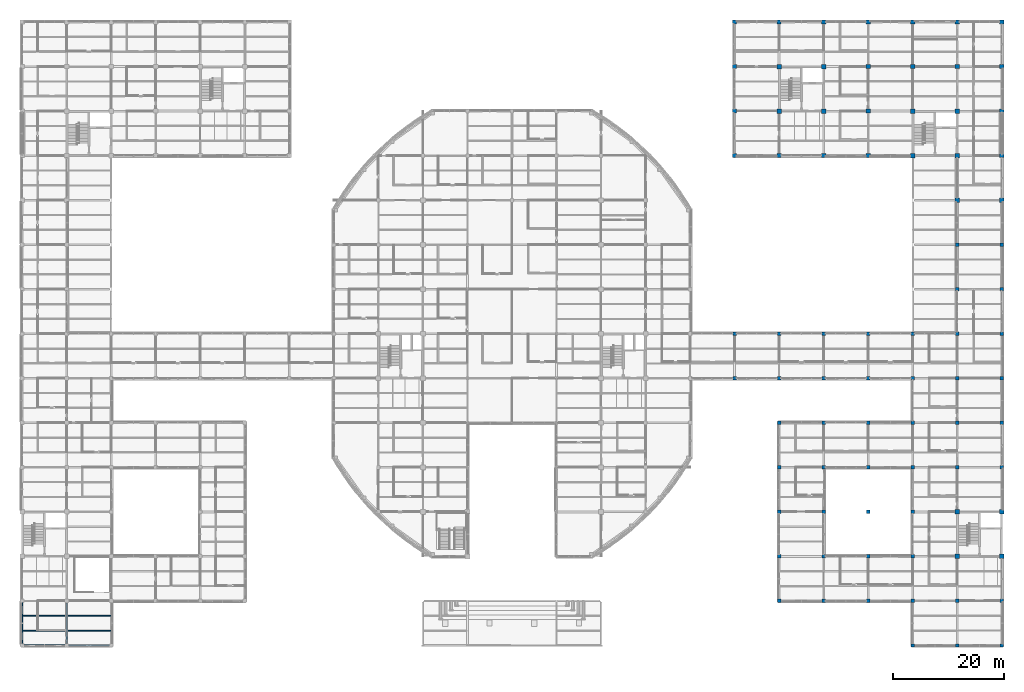
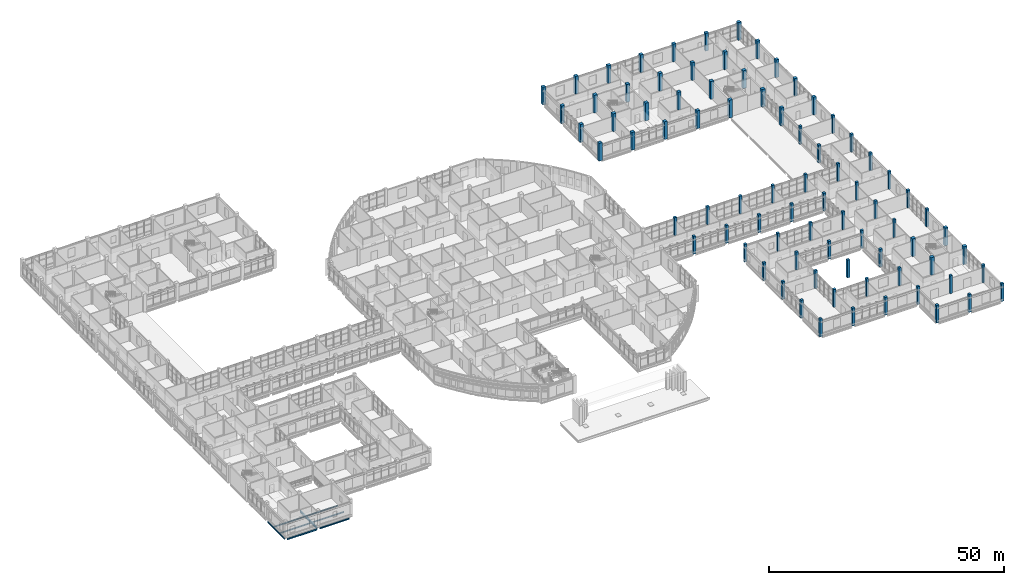
# One storey, part 8 of 121: 81 columns, 8 beams.
"""IFC4 building model written with IfcOpenShell, lengths in metres."""

from ifc_helpers import new_model, si_unit, derived_unit, direction, frame, origin, origin_2d, place, context, subcontext, project, spatial, rectangle, i_section, extrude, material, material_profile, profile_set, type_object, element, save


model = new_model("IFC4")

# Units and contexts
model_context = context("Model", 3, precision=1e-05, world=origin(), true_north=direction((0.0, 1.0)))
body_context = subcontext(model_context, "Body", "Model", "MODEL_VIEW")
ifc_project = project(units=[si_unit("LENGTHUNIT", "METRE"), si_unit("AREAUNIT", "SQUARE_METRE"), si_unit("VOLUMEUNIT", "CUBIC_METRE"), si_unit("PLANEANGLEUNIT", "RADIAN"), si_unit("MASSUNIT", "GRAM", prefix="KILO"), derived_unit("THERMALTRANSMITTANCEUNIT", [(si_unit("MASSUNIT", "GRAM", prefix="KILO"), 1), (si_unit("TIMEUNIT", "SECOND"), -3), (si_unit("THERMODYNAMICTEMPERATUREUNIT", "KELVIN"), -1)])], contexts=[model_context])

# Site, building, storey
site_placement = place(None, origin())
site = spatial("IfcSite", under=ifc_project, at=site_placement, CompositionType="ELEMENT")
building_placement = place(site_placement, origin())
building = spatial("IfcBuilding", under=site, at=building_placement, Name="Veyamyaing Civic Hall", CompositionType="ELEMENT")
storey_placement = place(building_placement, frame((0.0, 0.0, 5.280029296875)))
storey = spatial("IfcBuildingStorey", under=building, at=storey_placement, Name="L01", CompositionType="ELEMENT", Elevation=5.280029296875)

# Columns
ifc_material_1 = material(Name="Concrete C45/55", Category="concrete")
ifc_material_profile_1 = material_profile(ifc_material_1, rectangle(XDim=0.800048828125, YDim=0.800048828125, at=origin_2d()), Name="RC-COL-800X800")
ifc_profile_set_1 = profile_set([ifc_material_profile_1], Name="Concrete C45/55")
column_type_1 = type_object("IfcColumnType", Name="C-02", PredefinedType="COLUMN", material=ifc_profile_set_1)
for number, where, z_axis, x_axis, name in (
    (1, (136.0, 96.0, 0.0), (0.0, 0.0, 1.0), (1.0, 0.0, 0.0), "Column C-02 18-N L01"),
    (2, (136.0, 104.0, 0.0), (0.0, 0.0, 1.0), (1.0, 0.0, 0.0), "Column C-02 18-P L01"),
    (3, (144.0, 96.0, 0.0), (0.0, 0.0, 1.0), (1.0, 0.0, 0.0), "Column C-02 19-N L01"),
    (4, (144.0, 104.0, 0.0), (0.0, 0.0, 1.0), (1.0, 0.0, 0.0), "Column C-02 19-P L01"),
    (5, (160.0, 88.0, 0.0), (0.0, 0.0, 1.0), (1.0, 0.0, 0.0), "Column C-02 21-M L01"),
    (6, (160.0, 96.0, 0.0), (0.0, 0.0, 1.0), (1.0, 0.0, 0.0), "Column C-02 21-N L01"),
    (7, (168.0, 16.0, 0.0), (0.0, 0.0, 1.0), (1.0, 0.0, 0.0), "Column C-02 22-C L01"),
    (8, (168.0, 24.0, 0.0), (0.0, 0.0, 1.0), (1.0, 0.0, 0.0), "Column C-02 22-D L01"),
    (9, (168.0, 88.0, 0.0), (0.0, 0.0, 1.0), (1.0, 0.0, 0.0), "Column C-02 22-M L01"),
    (10, (168.0, 96.0, 0.0), (0.0, 0.0, 1.0), (1.0, 0.0, 0.0), "Column C-02 22-N L01"),
    (11, (176.0, 16.0, 0.0), (0.0, 0.0, 1.0), (1.0, 0.0, 0.0), "Column C-02 23-C L01"),
    (12, (176.0, 24.0, 0.0), (0.0, 0.0, 1.0), (1.0, 0.0, 0.0), "Column C-02 23-D L01"),
):
    element("IfcColumn", number, at=place(storey_placement, frame(where, z_axis=z_axis, x_axis=x_axis)), inside=storey, type_object=column_type_1, Name=name, PredefinedType="COLUMN", context=body_context, shape_type="SweptSolid", body=[
        extrude(rectangle(XDim=0.800048828125, YDim=0.800048828125, at=origin_2d()), origin(), (0.0, 0.0, 1.0), 4.619873046875),
    ])
ifc_material_profile_2 = material_profile(ifc_material_1, rectangle(XDim=0.75, YDim=0.75, at=origin_2d()), Name="RC-COL-750X750")
ifc_profile_set_2 = profile_set([ifc_material_profile_2], Name="Concrete C45/55")
column_type_2 = type_object("IfcColumnType", Name="C-03", PredefinedType="COLUMN", material=ifc_profile_set_2)
for number, where, z_axis, x_axis, name in (
    (13, (128.0, 88.0, 0.0), (0.0, 0.0, 1.0), (1.0, 0.0, 0.0), "Column C-03 17-M L01"),
    (14, (128.0, 96.0, 0.0), (0.0, 0.0, 1.0), (1.0, 0.0, 0.0), "Column C-03 17-N L01"),
    (15, (128.0, 104.0, 0.0), (0.0, 0.0, 1.0), (1.0, 0.0, 0.0), "Column C-03 17-P L01"),
    (16, (128.0, 112.0, 0.0), (0.0, 0.0, 1.0), (1.0, 0.0, 0.0), "Column C-03 17-Q L01"),
    (17, (136.0, 88.0, 0.0), (0.0, 0.0, 1.0), (1.0, 0.0, 0.0), "Column C-03 18-M L01"),
    (18, (136.0, 112.0, 0.0), (0.0, 0.0, 1.0), (1.0, 0.0, 0.0), "Column C-03 18-Q L01"),
    (19, (144.0, 88.0, 0.0), (0.0, 0.0, 1.0), (1.0, 0.0, 0.0), "Column C-03 19-M L01"),
    (20, (144.0, 112.0, 0.0), (0.0, 0.0, 1.0), (1.0, 0.0, 0.0), "Column C-03 19-Q L01"),
    (21, (152.0, 88.0, 0.0), (0.0, 0.0, 1.0), (1.0, 0.0, 0.0), "Column C-03 20-M L01"),
    (22, (152.0, 96.0, 0.0), (0.0, 0.0, 1.0), (1.0, 0.0, 0.0), "Column C-03 20-N L01"),
    (23, (152.0, 104.0, 0.0), (0.0, 0.0, 1.0), (1.0, 0.0, 0.0), "Column C-03 20-P L01"),
    (24, (152.0, 112.0, 0.0), (0.0, 0.0, 1.0), (1.0, 0.0, 0.0), "Column C-03 20-Q L01"),
    (25, (160.0, 104.0, 0.0), (0.0, 0.0, 1.0), (1.0, 0.0, 0.0), "Column C-03 21-P L01"),
    (26, (160.0, 112.0, 0.0), (0.0, 0.0, 1.0), (1.0, 0.0, 0.0), "Column C-03 21-Q L01"),
    (27, (168.0, 80.0, 0.0), (0.0, 0.0, 1.0), (1.0, 0.0, 0.0), "Column C-03 22-L L01"),
    (28, (168.0, 104.0, 0.0), (0.0, 0.0, 1.0), (1.0, 0.0, 0.0), "Column C-03 22-P L01"),
    (29, (168.0, 112.0, 0.0), (0.0, 0.0, 1.0), (1.0, 0.0, 0.0), "Column C-03 22-Q L01"),
    (30, (176.0, 80.0, 0.0), (0.0, 0.0, 1.0), (1.0, 0.0, 0.0), "Column C-03 23-L L01"),
    (31, (176.0, 88.0, 0.0), (0.0, 0.0, 1.0), (1.0, 0.0, 0.0), "Column C-03 23-M L01"),
    (32, (176.0, 96.0, 0.0), (0.0, 0.0, 1.0), (1.0, 0.0, 0.0), "Column C-03 23-N L01"),
    (33, (176.0, 104.0, 0.0), (0.0, 0.0, 1.0), (1.0, 0.0, 0.0), "Column C-03 23-P L01"),
    (34, (176.0, 112.0, 0.0), (0.0, 0.0, 1.0), (1.0, 0.0, 0.0), "Column C-03 23-Q L01"),
):
    element("IfcColumn", number, at=place(storey_placement, frame(where, z_axis=z_axis, x_axis=x_axis)), inside=storey, type_object=column_type_2, Name=name, PredefinedType="COLUMN", context=body_context, shape_type="SweptSolid", body=[
        extrude(rectangle(XDim=0.75, YDim=0.75, at=origin_2d()), origin(), (0.0, 0.0, 1.0), 4.619873046875),
    ])
ifc_material_profile_3 = material_profile(ifc_material_1, rectangle(XDim=0.60009765625, YDim=0.60009765625, at=origin_2d()), Name="RC-COL-600X600")
ifc_profile_set_3 = profile_set([ifc_material_profile_3], Name="Concrete C45/55")
column_type_3 = type_object("IfcColumnType", Name="C-06", PredefinedType="COLUMN", material=ifc_profile_set_3)
for number, where, z_axis, x_axis, name in (
    (35, (128.0, 48.0, 0.0), (0.0, 0.0, 1.0), (1.0, 0.0, 0.0), "Column C-06 17-G L01"),
    (36, (128.0, 56.0, 0.0), (0.0, 0.0, 1.0), (1.0, 0.0, 0.0), "Column C-06 17-H L01"),
    (37, (136.0, 8.0, 0.0), (0.0, 0.0, 1.0), (1.0, 0.0, 0.0), "Column C-06 18-B L01"),
    (38, (136.0, 16.0, 0.0), (0.0, 0.0, 1.0), (1.0, 0.0, 0.0), "Column C-06 18-C L01"),
    (39, (136.0, 24.0, 0.0), (0.0, 0.0, 1.0), (1.0, 0.0, 0.0), "Column C-06 18-D L01"),
    (40, (136.0, 32.0, 0.0), (0.0, 0.0, 1.0), (1.0, 0.0, 0.0), "Column C-06 18-E L01"),
    (41, (136.0, 40.0, 0.0), (0.0, 0.0, 1.0), (1.0, 0.0, 0.0), "Column C-06 18-F L01"),
    (42, (136.0, 48.0, 0.0), (0.0, 0.0, 1.0), (1.0, 0.0, 0.0), "Column C-06 18-G L01"),
    (43, (136.0, 56.0, 0.0), (0.0, 0.0, 1.0), (1.0, 0.0, 0.0), "Column C-06 18-H L01"),
    (44, (144.0, 8.0, 0.0), (0.0, 0.0, 1.0), (1.0, 0.0, 0.0), "Column C-06 19-B L01"),
    (45, (144.0, 16.0, 0.0), (0.0, 0.0, 1.0), (1.0, 0.0, 0.0), "Column C-06 19-C L01"),
    (46, (144.0, 24.0, 0.0), (0.0, 0.0, 1.0), (1.0, 0.0, 0.0), "Column C-06 19-D L01"),
    (47, (144.0, 32.0, 0.0), (0.0, 0.0, 1.0), (1.0, 0.0, 0.0), "Column C-06 19-E L01"),
    (48, (144.0, 40.0, 0.0), (0.0, 0.0, 1.0), (1.0, 0.0, 0.0), "Column C-06 19-F L01"),
    (49, (144.0, 48.0, 0.0), (0.0, 0.0, 1.0), (1.0, 0.0, 0.0), "Column C-06 19-G L01"),
    (50, (144.0, 56.0, 0.0), (0.0, 0.0, 1.0), (1.0, 0.0, 0.0), "Column C-06 19-H L01"),
    (51, (152.0, 8.0, 0.0), (0.0, 0.0, 1.0), (1.0, 0.0, 0.0), "Column C-06 20-B L01"),
    (52, (152.0, 16.0, 0.0), (0.0, 0.0, 1.0), (1.0, 0.0, 0.0), "Column C-06 20-C L01"),
    (53, (152.0, 24.0, 0.0), (0.0, 0.0, 1.0), (1.0, 0.0, 0.0), "Column C-06 20-D L01"),
    (54, (152.0, 32.0, 0.0), (0.0, 0.0, 1.0), (1.0, 0.0, 0.0), "Column C-06 20-E L01"),
    (55, (152.0, 40.0, 0.0), (0.0, 0.0, 1.0), (1.0, 0.0, 0.0), "Column C-06 20-F L01"),
    (56, (152.0, 48.0, 0.0), (0.0, 0.0, 1.0), (1.0, 0.0, 0.0), "Column C-06 20-G L01"),
    (57, (152.0, 56.0, 0.0), (0.0, 0.0, 1.0), (1.0, 0.0, 0.0), "Column C-06 20-H L01"),
    (58, (160.0, 0.0, 0.0), (0.0, 0.0, 1.0), (1.0, 0.0, 0.0), "Column C-06 21-A L01"),
    (59, (160.0, 8.0, 0.0), (0.0, 0.0, 1.0), (1.0, 0.0, 0.0), "Column C-06 21-B L01"),
    (60, (160.0, 16.0, 0.0), (0.0, 0.0, 1.0), (1.0, 0.0, 0.0), "Column C-06 21-C L01"),
    (61, (160.0, 24.0, 0.0), (0.0, 0.0, 1.0), (1.0, 0.0, 0.0), "Column C-06 21-D L01"),
    (62, (160.0, 32.0, 0.0), (0.0, 0.0, 1.0), (1.0, 0.0, 0.0), "Column C-06 21-E L01"),
    (63, (160.0, 40.0, 0.0), (0.0, 0.0, 1.0), (1.0, 0.0, 0.0), "Column C-06 21-F L01"),
    (64, (160.0, 48.0, 0.0), (0.0, 0.0, 1.0), (1.0, 0.0, 0.0), "Column C-06 21-G L01"),
    (65, (160.0, 56.0, 0.0), (0.0, 0.0, 1.0), (1.0, 0.0, 0.0), "Column C-06 21-H L01"),
    (66, (168.0, 0.0, 0.0), (0.0, 0.0, 1.0), (1.0, 0.0, 0.0), "Column C-06 22-A L01"),
    (67, (168.0, 8.0, 0.0), (0.0, 0.0, 1.0), (1.0, 0.0, 0.0), "Column C-06 22-B L01"),
    (68, (168.0, 32.0, 0.0), (0.0, 0.0, 1.0), (1.0, 0.0, 0.0), "Column C-06 22-E L01"),
    (69, (168.0, 40.0, 0.0), (0.0, 0.0, 1.0), (1.0, 0.0, 0.0), "Column C-06 22-F L01"),
    (70, (168.0, 48.0, 0.0), (0.0, 0.0, 1.0), (1.0, 0.0, 0.0), "Column C-06 22-G L01"),
    (71, (168.0, 56.0, 0.0), (0.0, 0.0, 1.0), (1.0, 0.0, 0.0), "Column C-06 22-H L01"),
    (72, (168.0, 64.0, 0.0), (0.0, 0.0, 1.0), (1.0, 0.0, 0.0), "Column C-06 22-J L01"),
    (73, (168.0, 72.0, 0.0), (0.0, 0.0, 1.0), (1.0, 0.0, 0.0), "Column C-06 22-K L01"),
    (74, (176.0, 0.0, 0.0), (0.0, 0.0, 1.0), (1.0, 0.0, 0.0), "Column C-06 23-A L01"),
    (75, (176.0, 8.0, 0.0), (0.0, 0.0, 1.0), (1.0, 0.0, 0.0), "Column C-06 23-B L01"),
    (76, (176.0, 32.0, 0.0), (0.0, 0.0, 1.0), (1.0, 0.0, 0.0), "Column C-06 23-E L01"),
    (77, (176.0, 40.0, 0.0), (0.0, 0.0, 1.0), (1.0, 0.0, 0.0), "Column C-06 23-F L01"),
    (78, (176.0, 48.0, 0.0), (0.0, 0.0, 1.0), (1.0, 0.0, 0.0), "Column C-06 23-G L01"),
    (79, (176.0, 56.0, 0.0), (0.0, 0.0, 1.0), (1.0, 0.0, 0.0), "Column C-06 23-H L01"),
    (80, (176.0, 64.0, 0.0), (0.0, 0.0, 1.0), (1.0, 0.0, 0.0), "Column C-06 23-J L01"),
    (81, (176.0, 72.0, 0.0), (0.0, 0.0, 1.0), (1.0, 0.0, 0.0), "Column C-06 23-K L01"),
):
    element("IfcColumn", number, at=place(storey_placement, frame(where, z_axis=z_axis, x_axis=x_axis)), inside=storey, type_object=column_type_3, Name=name, PredefinedType="COLUMN", context=body_context, shape_type="SweptSolid", body=[
        extrude(rectangle(XDim=0.60009765625, YDim=0.60009765625, at=origin_2d()), origin(), (0.0, 0.0, 1.0), 4.619873046875),
    ])

# Beams
ifc_material_2 = material(Name="Steel ASTM A992", Category="steel")
ifc_material_profile_4 = material_profile(ifc_material_2, i_section(OverallWidth=0.22802734375, OverallDepth=0.60791015625, WebThickness=0.01123046875, FlangeThickness=0.017333984375, FilletRadius=0.012939453125, at=origin_2d()), Name="W610X113")
ifc_profile_set_4 = profile_set([ifc_material_profile_4], Name="Steel ASTM A992")
beam_type_1 = type_object("IfcBeamType", Name="B-06", PredefinedType="BEAM", material=ifc_profile_set_4)
beam_1_placement = place(storey_placement, frame((8.0, 0.35009765625, -0.549072265625), z_axis=(0.0, 1.0, 0.0), x_axis=(-1.0, 0.0, 0.0)))
element("IfcBeam", 82, at=beam_1_placement, inside=storey, type_object=beam_type_1, Name="Girder B-06 L01 Grid 2 A-B", PredefinedType="BEAM", context=body_context, shape_type="SweptSolid", body=[
    extrude(i_section(OverallWidth=0.22802734375, OverallDepth=0.60791015625, WebThickness=0.01123046875, FlangeThickness=0.017333984375, FilletRadius=0.012939453125, at=origin_2d()), origin(), (0.0, 0.0, 1.0), 7.2998046875),
])
ifc_material_profile_5 = material_profile(ifc_material_2, i_section(OverallWidth=0.180908203125, OverallDepth=0.4169921875, WebThickness=0.010986328125, FlangeThickness=0.018310546875, FilletRadius=0.010009765625, at=origin_2d()), Name="W410X85")
ifc_profile_set_5 = profile_set([ifc_material_profile_5], Name="Steel ASTM A992")
beam_type_2 = type_object("IfcBeamType", Name="B-19", PredefinedType="SPANDREL", material=ifc_profile_set_5)
for number, where, z_axis, x_axis, name in (
    (83, (0.35009765625, 0.0, -0.45361328125), (1.0, 0.0, 0.0), (0.0, 1.0, 0.0), "Girder B-19 L01 Grid A 1-2"),
    (84, (0.0, 0.35009765625, -0.45361328125), (0.0, 1.0, 0.0), (-1.0, 0.0, 0.0), "Girder B-19 L01 Grid 1 A-B"),
):
    element("IfcBeam", number, at=place(storey_placement, frame(where, z_axis=z_axis, x_axis=x_axis)), inside=storey, type_object=beam_type_2, Name=name, PredefinedType="SPANDREL", context=body_context, shape_type="SweptSolid", body=[
        extrude(i_section(OverallWidth=0.180908203125, OverallDepth=0.4169921875, WebThickness=0.010986328125, FlangeThickness=0.018310546875, FilletRadius=0.010009765625, at=origin_2d()), origin(), (0.0, 0.0, 1.0), 7.2998046875),
    ])
ifc_material_profile_6 = material_profile(ifc_material_2, i_section(OverallWidth=0.25390625, OverallDepth=0.35302734375, WebThickness=0.009521484375, FlangeThickness=0.016357421875, FilletRadius=0.011962890625, at=origin_2d()), Name="W360X91")
ifc_profile_set_6 = profile_set([ifc_material_profile_6], Name="Steel ASTM A992")
beam_type_3 = type_object("IfcBeamType", Name="B-20", PredefinedType="SPANDREL", material=ifc_profile_set_6)
beam_2_placement = place(storey_placement, frame((8.35009765625, 0.0, -0.421630859375), z_axis=(1.0, 0.0, 0.0), x_axis=(0.0, 1.0, 0.0)))
element("IfcBeam", 85, at=beam_2_placement, inside=storey, type_object=beam_type_3, Name="Girder B-20 L01 Grid A 2-3", PredefinedType="SPANDREL", context=body_context, shape_type="SweptSolid", body=[
    extrude(i_section(OverallWidth=0.25390625, OverallDepth=0.35302734375, WebThickness=0.009521484375, FlangeThickness=0.016357421875, FilletRadius=0.011962890625, at=origin_2d()), origin(), (0.0, 0.0, 1.0), 7.2998046875),
])
ifc_material_profile_7 = material_profile(ifc_material_2, i_section(OverallWidth=0.1708984375, OverallDepth=0.35205078125, WebThickness=0.0068359375, FlangeThickness=0.009765625, FilletRadius=0.010009765625, at=origin_2d()), Name="W360X44")
ifc_profile_set_7 = profile_set([ifc_material_profile_7], Name="Steel ASTM A992")
beam_type_4 = type_object("IfcBeamType", Name="J-03", PredefinedType="JOIST", material=ifc_profile_set_7)
for number, where, z_axis, x_axis, name in (
    (86, (0.08837890625, 2.666748046875, -0.421142578125), (1.0, 0.0, 0.0), (0.0, 1.0, 0.0), "Composite floor joist J-03 L01 1.1.1"),
    (87, (0.08837890625, 5.333251953125, -0.421142578125), (1.0, 0.0, 0.0), (0.0, 1.0, 0.0), "Composite floor joist J-03 L01 1.1.2"),
):
    element("IfcBeam", number, at=place(storey_placement, frame(where, z_axis=z_axis, x_axis=x_axis)), inside=storey, type_object=beam_type_4, Name=name, PredefinedType="JOIST", context=body_context, shape_type="SweptSolid", body=[
        extrude(i_section(OverallWidth=0.1708984375, OverallDepth=0.35205078125, WebThickness=0.0068359375, FlangeThickness=0.009765625, FilletRadius=0.010009765625, at=origin_2d()), origin(), (0.0, 0.0, 1.0), 7.799560546875),
    ])
ifc_material_profile_8 = material_profile(ifc_material_2, i_section(OverallWidth=0.1669921875, OverallDepth=0.318115234375, WebThickness=0.007568359375, FlangeThickness=0.01318359375, FilletRadius=0.010009765625, at=origin_2d()), Name="W310X52")
ifc_profile_set_8 = profile_set([ifc_material_profile_8], Name="Steel ASTM A992")
beam_type_5 = type_object("IfcBeamType", Name="J-04", PredefinedType="JOIST", material=ifc_profile_set_8)
for number, where, z_axis, x_axis, name in (
    (88, (8.112060546875, 2.666748046875, -0.404052734375), (1.0, 0.0, 0.0), (0.0, 1.0, 0.0), "Composite floor joist J-04 L01 2.1.1"),
    (89, (8.112060546875, 5.333251953125, -0.404052734375), (1.0, 0.0, 0.0), (0.0, 1.0, 0.0), "Composite floor joist J-04 L01 2.1.2"),
):
    element("IfcBeam", number, at=place(storey_placement, frame(where, z_axis=z_axis, x_axis=x_axis)), inside=storey, type_object=beam_type_5, Name=name, PredefinedType="JOIST", context=body_context, shape_type="SweptSolid", body=[
        extrude(i_section(OverallWidth=0.1669921875, OverallDepth=0.318115234375, WebThickness=0.007568359375, FlangeThickness=0.01318359375, FilletRadius=0.010009765625, at=origin_2d()), origin(), (0.0, 0.0, 1.0), 7.800048828125),
    ])

save(model, "model.ifc")
